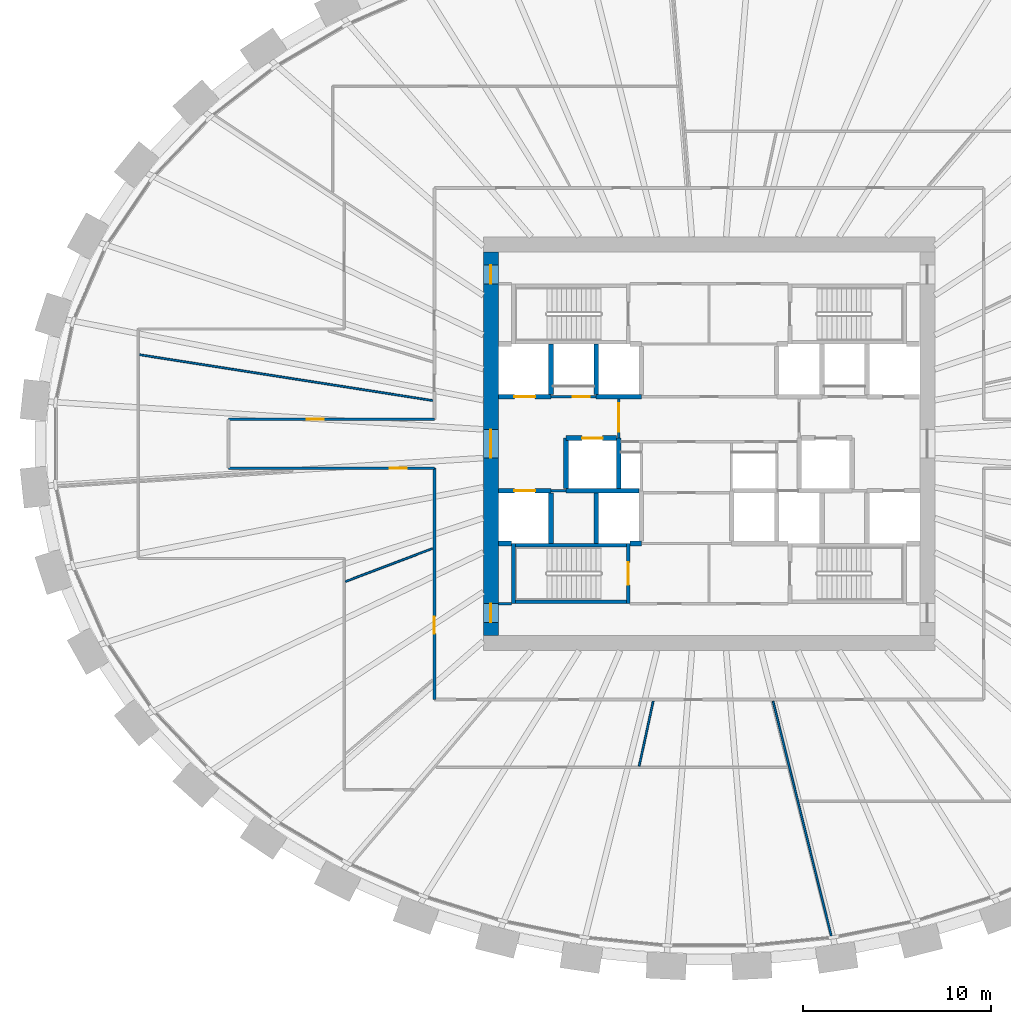
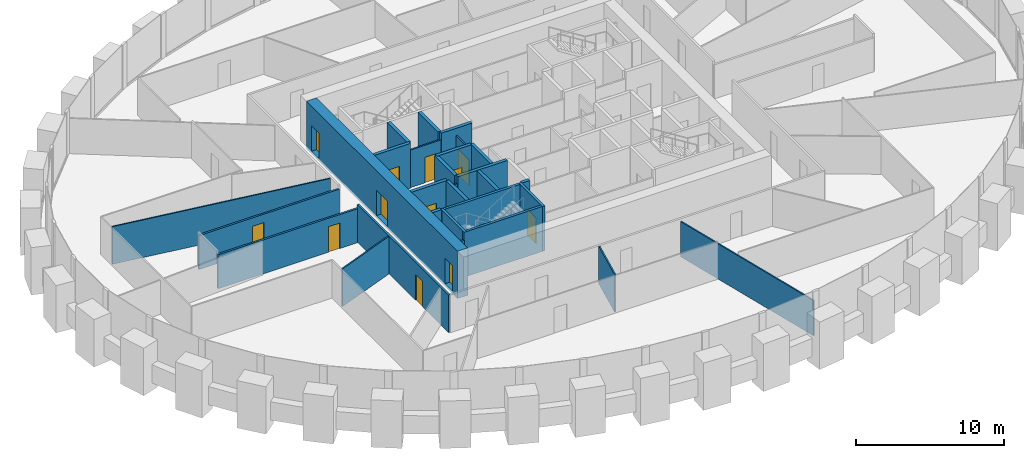
# One storey, part 6 of 11: 29 walls, 12 doors, 12 openings.
"""IFC4 building model written with IfcOpenShell, lengths in metres."""

from ifc_helpers import new_model, si_unit, direction, frame, frame_2d, origin, place, context, subcontext, project, spatial, rectangle, extrude, source, transform, mapped, material, layer, layer_set, type_object, element, fill, save


model = new_model("IFC4")

# Units and contexts
model_context = context("Model", 3, precision=1e-05, world=origin(), true_north=direction((0.0, 1.0)))
body_context = subcontext(model_context, "Body", "Model", "MODEL_VIEW")
ifc_project = project(units=[si_unit("LENGTHUNIT", "METRE"), si_unit("AREAUNIT", "SQUARE_METRE"), si_unit("VOLUMEUNIT", "CUBIC_METRE"), si_unit("PLANEANGLEUNIT", "RADIAN"), si_unit("MASSUNIT", "GRAM", prefix="KILO")], contexts=[model_context])

# Site, building, storey
site_placement = place(None, origin())
site = spatial("IfcSite", under=ifc_project, at=site_placement, CompositionType="ELEMENT")
building_placement = place(site_placement, origin())
building = spatial("IfcBuilding", under=site, at=building_placement, Name="Embergate Tower", CompositionType="ELEMENT")
storey_placement = place(building_placement, frame((0.0, 0.0, 203.39990234375)))
storey = spatial("IfcBuildingStorey", under=building, at=storey_placement, Name="L46", CompositionType="ELEMENT", Elevation=203.39990234375)

# Wall, openings, doors
ifc_material_1 = material(Name="Concrete C70", Category="concrete")
ifc_layer_1 = layer(ifc_material_1, 0.800048828125)
ifc_layer_set_1 = layer_set([ifc_layer_1], Name="Concrete C70")
wall_type_1 = type_object("IfcWallType", Name="Core outer wall C70 800", PredefinedType="SHEAR", material=ifc_layer_set_1)
shared_shape_1 = source(origin(), body_context, "Body", "SweptSolid", [
    extrude(rectangle(XDim=20.39990234375, YDim=0.800048828125, at=frame_2d((10.199951171875, 0.0))), origin(), (0.0, 0.0, 1.0), 3.900146484375),
])
wall_1_placement = place(storey_placement, frame((-11.60009765625, -10.199951171875, -0.199951171875), z_axis=(0.0, 0.0, 1.0), x_axis=(0.0, 1.0, 0.0)))
wall_1 = element("IfcWall", 1, at=wall_1_placement, inside=storey, type_object=wall_type_1, Name="CW-L46-W", PredefinedType="SHEAR", context=body_context, shape_type="MappedRepresentation", body=[
    mapped(shared_shape_1, transform((0.0, 0.0, 0.0))),
])
shared_shape_2 = source(origin(), body_context, "Body", "SweptSolid", [
    extrude(rectangle(XDim=1.0, YDim=2.10009765625, at=frame_2d((0.5, 1.050048828125))), frame((0.0, 0.409912109375, 0.0), z_axis=(0.0, -1.0, 0.0), x_axis=(1.0, 0.0, 0.0)), (0.0, 0.0, 1.0), 0.820068359375),
])
opening_1_placement = place(wall_1_placement, frame((18.699951171875, 0.0, 0.199951171875)))
opening_1 = element("IfcOpeningElement", 2, at=opening_1_placement, cuts=wall_1, Name="Opening IF-1d", PredefinedType="OPENING", context=body_context, shape_type="MappedRepresentation", body=[
    mapped(shared_shape_2, transform((0.0, 0.0, 0.0))),
])
opening_2_placement = place(wall_1_placement, frame((0.699951171875, 0.0, 0.199951171875)))
opening_2 = element("IfcOpeningElement", 3, at=opening_2_placement, cuts=wall_1, Name="Opening IF-1d", PredefinedType="OPENING", context=body_context, shape_type="MappedRepresentation", body=[
    mapped(shared_shape_2, transform((0.0, 0.0, 0.0))),
])
shared_shape_3 = source(origin(), body_context, "Body", "SweptSolid", [
    extrude(rectangle(XDim=1.5, YDim=2.10009765625, at=frame_2d((0.75, 1.050048828125))), frame((0.0, 0.409912109375, 0.0), z_axis=(0.0, -1.0, 0.0), x_axis=(1.0, 0.0, 0.0)), (0.0, 0.0, 1.0), 0.820068359375),
])
opening_3_placement = place(wall_1_placement, frame((9.449951171875, 0.0, 0.199951171875)))
opening_3 = element("IfcOpeningElement", 4, at=opening_3_placement, cuts=wall_1, Name="Opening IF-3", PredefinedType="OPENING", context=body_context, shape_type="MappedRepresentation", body=[
    mapped(shared_shape_3, transform((0.0, 0.0, 0.0))),
])
ifc_material_2 = material(Name="Lobby fire door pair 1500")
door_type_1 = type_object("IfcDoorType", Name="Lobby fire door pair 1500", OperationType="DOUBLE_DOOR_SINGLE_SWING", PredefinedType="DOOR", material=ifc_material_2)
shared_shape_4 = source(origin(), body_context, "Body", "SweptSolid", [
    extrude(rectangle(XDim=1.5, YDim=2.10009765625, at=frame_2d((0.75, 1.050048828125))), frame((0.0, 0.02490234375, 0.0), z_axis=(0.0, -1.0, 0.0), x_axis=(1.0, 0.0, 0.0)), (0.0, 0.0, 1.0), 0.050048828125),
])
door_1_placement = place(opening_3_placement, origin())
door_1 = element("IfcDoor", 5, at=door_1_placement, inside=storey, type_object=door_type_1, Name="IF-3 door", OperationType="DOUBLE_DOOR_SINGLE_SWING", OverallHeight=2.10009765625, OverallWidth=1.5, PredefinedType="DOOR", context=body_context, shape_type="MappedRepresentation", body=[
    mapped(shared_shape_4, transform((0.0, 0.0, 0.0))),
])
fill(opening_3, door_1)
ifc_material_3 = material(Name="Escape fire door 1000")
door_type_2 = type_object("IfcDoorType", Name="Escape fire door 1000", OperationType="SINGLE_SWING_LEFT", PredefinedType="DOOR", material=ifc_material_3)
shared_shape_5 = source(origin(), body_context, "Body", "SweptSolid", [
    extrude(rectangle(XDim=1.0, YDim=2.10009765625, at=frame_2d((0.5, 1.050048828125))), frame((0.0, 0.02490234375, 0.0), z_axis=(0.0, -1.0, 0.0), x_axis=(1.0, 0.0, 0.0)), (0.0, 0.0, 1.0), 0.050048828125),
])
door_2_placement = place(opening_1_placement, origin())
door_2 = element("IfcDoor", 6, at=door_2_placement, inside=storey, type_object=door_type_2, Name="IF-1 door", OperationType="SINGLE_SWING_LEFT", OverallHeight=2.10009765625, OverallWidth=1.0, PredefinedType="DOOR", context=body_context, shape_type="MappedRepresentation", body=[
    mapped(shared_shape_5, transform((0.0, 0.0, 0.0))),
])
fill(opening_1, door_2)
door_3_placement = place(opening_2_placement, origin())
door_3 = element("IfcDoor", 7, at=door_3_placement, inside=storey, type_object=door_type_2, Name="IF-1 door", OperationType="SINGLE_SWING_RIGHT", OverallHeight=2.10009765625, OverallWidth=1.0, PredefinedType="DOOR", context=body_context, shape_type="MappedRepresentation", body=[
    mapped(shared_shape_5, transform((0.0, 0.0, 0.0))),
])
fill(opening_2, door_3)

# Wall, opening, door
ifc_material_4 = material(Name="Core partition blockwork 120")
ifc_layer_2 = layer(ifc_material_4, 0.1201171875)
ifc_layer_set_2 = layer_set([ifc_layer_2], Name="Core partition blockwork 120")
wall_type_2 = type_object("IfcWallType", Name="Core partition blockwork 120", PredefinedType="PARTITIONING", material=ifc_layer_set_2)
shared_shape_6 = source(origin(), body_context, "Body", "SweptSolid", [
    extrude(rectangle(XDim=2.074951171875, YDim=0.1201171875, at=frame_2d((1.03759765625, 0.0))), origin(), (0.0, 0.0, 1.0), 3.10009765625),
])
wall_2_placement = place(storey_placement, frame((-4.800048828125, 2.375, 0.0), z_axis=(0.0, 0.0, 1.0), x_axis=(0.0, -1.0, 0.0)))
wall_2 = element("IfcWall", 8, at=wall_2_placement, inside=storey, type_object=wall_type_2, Name="IP-3 wall", PredefinedType="PARTITIONING", context=body_context, shape_type="MappedRepresentation", body=[
    mapped(shared_shape_6, transform((0.0, 0.0, 0.0))),
])
shared_shape_7 = source(origin(), body_context, "Body", "SweptSolid", [
    extrude(rectangle(XDim=1.5, YDim=2.10009765625, at=frame_2d((0.75, 1.050048828125))), frame((0.0, 0.070068359375, 0.0), z_axis=(0.0, -1.0, 0.0), x_axis=(1.0, 0.0, 0.0)), (0.0, 0.0, 1.0), 0.14013671875),
])
opening_4_placement = place(wall_2_placement, frame((0.22509765625, 0.0, 0.0)))
opening_4 = element("IfcOpeningElement", 9, at=opening_4_placement, cuts=wall_2, Name="Opening IF-3", PredefinedType="OPENING", context=body_context, shape_type="MappedRepresentation", body=[
    mapped(shared_shape_7, transform((0.0, 0.0, 0.0))),
])
door_4_placement = place(opening_4_placement, origin())
door_4 = element("IfcDoor", 10, at=door_4_placement, inside=storey, type_object=door_type_1, Name="IF-3 door", OperationType="DOUBLE_DOOR_SINGLE_SWING", OverallHeight=2.10009765625, OverallWidth=1.5, PredefinedType="DOOR", context=body_context, shape_type="MappedRepresentation", body=[
    mapped(shared_shape_4, transform((0.0, 0.0, 0.0))),
])
fill(opening_4, door_4)

# Walls
ifc_material_5 = material(Name="Concrete C50", Category="concrete")
ifc_layer_3 = layer(ifc_material_5, 0.25)
ifc_layer_set_3 = layer_set([ifc_layer_3], Name="Concrete C50")
wall_type_3 = type_object("IfcWallType", Name="Hoistway wall reinforced concrete 250", PredefinedType="SHEAR", material=ifc_layer_set_3)
shared_shape_8 = source(origin(), body_context, "Body", "SweptSolid", [
    extrude(rectangle(XDim=2.675048828125, YDim=0.25, at=frame_2d((1.33740234375, 0.0))), origin(), (0.0, 0.0, 1.0), 3.7001953125),
])
for number, where, z_axis, x_axis, name in (
    (11, (-8.39990234375, 2.625, 0.0), (0.0, 0.0, 1.0), (0.0, 1.0, 0.0), "HW-1 wall"),
    (12, (-6.0, 2.625, 0.0), (0.0, 0.0, 1.0), (0.0, 1.0, 0.0), "HW-1 wall"),
    (13, (-4.800048828125, 0.300048828125, 0.0), (0.0, 0.0, 1.0), (0.0, -1.0, 0.0), "HW-1 wall"),
):
    element("IfcWall", number, at=place(storey_placement, frame(where, z_axis=z_axis, x_axis=x_axis)), inside=storey, type_object=wall_type_3, Name=name, PredefinedType="SHEAR", context=body_context, shape_type="MappedRepresentation", body=[
        mapped(shared_shape_8, transform((0.0, 0.0, 0.0))),
    ])

# Wall, opening, door
wall_3_placement = place(storey_placement, frame((-4.925048828125, 0.300048828125, 0.0), z_axis=(0.0, 0.0, 1.0), x_axis=(-1.0, 0.0, 0.0)))
wall_3 = element("IfcWall", 14, at=wall_3_placement, inside=storey, type_object=wall_type_3, Name="HW-1 wall", PredefinedType="SHEAR", context=body_context, shape_type="MappedRepresentation", body=[
    mapped(shared_shape_8, transform((0.0, 0.0, 0.0))),
])
shared_shape_9 = source(origin(), body_context, "Body", "SweptSolid", [
    extrude(rectangle(XDim=1.10009765625, YDim=2.10009765625, at=frame_2d((0.550048828125, 1.050048828125))), frame((0.0, 0.135009765625, 0.0), z_axis=(0.0, -1.0, 0.0), x_axis=(1.0, 0.0, 0.0)), (0.0, 0.0, 1.0), 0.27001953125),
])
opening_5_placement = place(wall_3_placement, frame((0.72509765625, 0.0, 0.0)))
opening_5 = element("IfcOpeningElement", 15, at=opening_5_placement, cuts=wall_3, Name="Opening LD", PredefinedType="OPENING", context=body_context, shape_type="MappedRepresentation", body=[
    mapped(shared_shape_9, transform((0.0, 0.0, 0.0))),
])
ifc_material_6 = material(Name="Landing door sliding 1100")
door_type_3 = type_object("IfcDoorType", Name="Landing door sliding 1100", OperationType="SLIDING_TO_LEFT", PredefinedType="DOOR", material=ifc_material_6)
shared_shape_10 = source(origin(), body_context, "Body", "SweptSolid", [
    extrude(rectangle(XDim=1.10009765625, YDim=2.10009765625, at=frame_2d((0.550048828125, 1.050048828125))), frame((0.0, 0.02490234375, 0.0), z_axis=(0.0, -1.0, 0.0), x_axis=(1.0, 0.0, 0.0)), (0.0, 0.0, 1.0), 0.050048828125),
])
door_5_placement = place(opening_5_placement, origin())
door_5 = element("IfcDoor", 16, at=door_5_placement, inside=storey, type_object=door_type_3, Name="LD door", OperationType="SLIDING_TO_RIGHT", OverallHeight=2.10009765625, OverallWidth=1.10009765625, PredefinedType="DOOR", context=body_context, shape_type="MappedRepresentation", body=[
    mapped(shared_shape_10, transform((0.0, 0.0, 0.0))),
])
fill(opening_5, door_5)

# Walls
wall_4_placement = place(storey_placement, frame((-7.60009765625, 0.300048828125, 0.0), z_axis=(0.0, 0.0, 1.0), x_axis=(0.0, -1.0, 0.0)))
element("IfcWall", 17, at=wall_4_placement, inside=storey, type_object=wall_type_3, Name="HW-1 wall", PredefinedType="SHEAR", context=body_context, shape_type="MappedRepresentation", body=[
    mapped(shared_shape_8, transform((0.0, 0.0, 0.0))),
])
ifc_layer_4 = layer(ifc_material_5, 0.199951171875)
ifc_layer_set_4 = layer_set([ifc_layer_4], Name="Concrete C50")
wall_type_4 = type_object("IfcWallType", Name="Stair enclosure wall reinforced concrete 250", PredefinedType="SHEAR", material=ifc_layer_set_4)
shared_shape_11 = source(origin(), body_context, "Body", "SweptSolid", [
    extrude(rectangle(XDim=6.300048828125, YDim=0.199951171875, at=frame_2d((3.14990234375, 0.0))), origin(), (0.0, 0.0, 1.0), 3.7001953125),
])
for number, where, z_axis, x_axis, name in (
    (18, (-10.5, -5.39990234375, 0.0), (0.0, 0.0, 1.0), (1.0, 0.0, 0.0), "SE-1 wall"),
    (19, (-10.5, -8.39990234375, 0.0), (0.0, 0.0, 1.0), (1.0, 0.0, 0.0), "SE-1 wall"),
):
    element("IfcWall", number, at=place(storey_placement, frame(where, z_axis=z_axis, x_axis=x_axis)), inside=storey, type_object=wall_type_4, Name=name, PredefinedType="SHEAR", context=body_context, shape_type="MappedRepresentation", body=[
        mapped(shared_shape_11, transform((0.0, 0.0, 0.0))),
    ])

# Wall, opening, door
shared_shape_12 = source(origin(), body_context, "Body", "SweptSolid", [
    extrude(rectangle(XDim=3.199951171875, YDim=0.199951171875, at=frame_2d((1.60009765625, 0.0))), origin(), (0.0, 0.0, 1.0), 3.7001953125),
])
wall_5_placement = place(storey_placement, frame((-4.300048828125, -8.5, 0.0), z_axis=(0.0, 0.0, 1.0), x_axis=(0.0, 1.0, 0.0)))
wall_5 = element("IfcWall", 20, at=wall_5_placement, inside=storey, type_object=wall_type_4, Name="SE-1 wall", PredefinedType="SHEAR", context=body_context, shape_type="MappedRepresentation", body=[
    mapped(shared_shape_12, transform((0.0, 0.0, 0.0))),
])
shared_shape_13 = source(origin(), body_context, "Body", "SweptSolid", [
    extrude(rectangle(XDim=1.199951171875, YDim=2.10009765625, at=frame_2d((0.60009765625, 1.050048828125))), frame((0.0, 0.10986328125, 0.0), z_axis=(0.0, -1.0, 0.0), x_axis=(1.0, 0.0, 0.0)), (0.0, 0.0, 1.0), 0.219970703125),
])
opening_6_placement = place(wall_5_placement, frame((1.0, 0.0, 0.0)))
opening_6 = element("IfcOpeningElement", 21, at=opening_6_placement, cuts=wall_5, Name="Opening IF-2", PredefinedType="OPENING", context=body_context, shape_type="MappedRepresentation", body=[
    mapped(shared_shape_13, transform((0.0, 0.0, 0.0))),
])
ifc_material_7 = material(Name="Stair enclosure door 1200")
door_type_4 = type_object("IfcDoorType", Name="Stair enclosure door 1200", OperationType="SINGLE_SWING_LEFT", PredefinedType="DOOR", material=ifc_material_7)
shared_shape_14 = source(origin(), body_context, "Body", "SweptSolid", [
    extrude(rectangle(XDim=1.199951171875, YDim=2.10009765625, at=frame_2d((0.60009765625, 1.050048828125))), frame((0.0, 0.02490234375, 0.0), z_axis=(0.0, -1.0, 0.0), x_axis=(1.0, 0.0, 0.0)), (0.0, 0.0, 1.0), 0.050048828125),
])
door_6_placement = place(opening_6_placement, origin())
door_6 = element("IfcDoor", 22, at=door_6_placement, inside=storey, type_object=door_type_4, Name="IF-2 door", OperationType="SINGLE_SWING_RIGHT", OverallHeight=2.10009765625, OverallWidth=1.199951171875, PredefinedType="DOOR", context=body_context, shape_type="MappedRepresentation", body=[
    mapped(shared_shape_14, transform((0.0, 0.0, 0.0))),
])
fill(opening_6, door_6)

# Wall
shared_shape_15 = source(origin(), body_context, "Body", "SweptSolid", [
    extrude(rectangle(XDim=2.39990234375, YDim=0.25, at=frame_2d((1.199951171875, 0.0))), origin(), (0.0, 0.0, 1.0), 3.7001953125),
])
wall_6_placement = place(storey_placement, frame((-6.0, 2.5, 0.0), z_axis=(0.0, 0.0, 1.0), x_axis=(1.0, 0.0, 0.0)))
element("IfcWall", 23, at=wall_6_placement, inside=storey, type_object=wall_type_3, Name="HW-1 wall", PredefinedType="SHEAR", context=body_context, shape_type="MappedRepresentation", body=[
    mapped(shared_shape_15, transform((0.0, 0.0, 0.0))),
])

# Wall, opening, door
ifc_material_8 = material(Name="Corridor wall dry-lined 150")
ifc_layer_5 = layer(ifc_material_8, 0.14990234375)
ifc_layer_set_5 = layer_set([ifc_layer_5], Name="Corridor wall dry-lined 150")
wall_type_5 = type_object("IfcWallType", Name="Corridor wall dry-lined 150", PredefinedType="PARTITIONING", material=ifc_layer_set_5)
shared_shape_16 = source(origin(), body_context, "Body", "SweptSolid", [
    extrude(rectangle(XDim=10.949951171875, YDim=0.14990234375, at=frame_2d((5.47509765625, 0.0))), origin(), (0.0, 0.0, 1.0), 2.800048828125),
])
wall_7_placement = place(storey_placement, frame((-25.550048828125, -1.300048828125, 0.0), z_axis=(0.0, 0.0, 1.0), x_axis=(1.0, 0.0, 0.0)))
wall_7 = element("IfcWall", 24, at=wall_7_placement, inside=storey, type_object=wall_type_5, Name="IP-2 wall", PredefinedType="PARTITIONING", context=body_context, shape_type="MappedRepresentation", body=[
    mapped(shared_shape_16, transform((0.0, 0.0, 0.0))),
])
shared_shape_17 = source(origin(), body_context, "Body", "SweptSolid", [
    extrude(rectangle(XDim=0.89990234375, YDim=2.10009765625, at=frame_2d((0.449951171875, 1.050048828125))), frame((0.0, 0.0849609375, 0.0), z_axis=(0.0, -1.0, 0.0), x_axis=(1.0, 0.0, 0.0)), (0.0, 0.0, 1.0), 0.169921875),
])
opening_7_placement = place(wall_7_placement, frame((8.5869140625, 0.0, 0.0)))
opening_7 = element("IfcOpeningElement", 25, at=opening_7_placement, cuts=wall_7, Name="Opening IF-1c", PredefinedType="OPENING", context=body_context, shape_type="MappedRepresentation", body=[
    mapped(shared_shape_17, transform((0.0, 0.0, 0.0))),
])
ifc_material_9 = material(Name="Escape fire door 900")
door_type_5 = type_object("IfcDoorType", Name="Escape fire door 900", OperationType="SINGLE_SWING_LEFT", PredefinedType="DOOR", material=ifc_material_9)
shared_shape_18 = source(origin(), body_context, "Body", "SweptSolid", [
    extrude(rectangle(XDim=0.89990234375, YDim=2.10009765625, at=frame_2d((0.449951171875, 1.050048828125))), frame((0.0, 0.02490234375, 0.0), z_axis=(0.0, -1.0, 0.0), x_axis=(1.0, 0.0, 0.0)), (0.0, 0.0, 1.0), 0.050048828125),
])
door_7_placement = place(opening_7_placement, origin())
door_7 = element("IfcDoor", 26, at=door_7_placement, inside=storey, type_object=door_type_5, Name="IF-1 door", OperationType="SINGLE_SWING_RIGHT", OverallHeight=2.10009765625, OverallWidth=0.89990234375, PredefinedType="DOOR", context=body_context, shape_type="MappedRepresentation", body=[
    mapped(shared_shape_18, transform((0.0, 0.0, 0.0))),
])
fill(opening_7, door_7)

wall_8_placement = place(storey_placement, frame((-14.60009765625, 1.300048828125, 0.0), z_axis=(0.0, 0.0, 1.0), x_axis=(-1.0, 0.0, 0.0)))
wall_8 = element("IfcWall", 27, at=wall_8_placement, inside=storey, type_object=wall_type_5, Name="IP-2 wall", PredefinedType="PARTITIONING", context=body_context, shape_type="MappedRepresentation", body=[
    mapped(shared_shape_16, transform((0.0, 0.0, 0.0))),
])
opening_8_placement = place(wall_8_placement, frame((5.875, 0.0, 0.0)))
opening_8 = element("IfcOpeningElement", 28, at=opening_8_placement, cuts=wall_8, Name="Opening IF-1c", PredefinedType="OPENING", context=body_context, shape_type="MappedRepresentation", body=[
    mapped(shared_shape_17, transform((0.0, 0.0, 0.0))),
])
door_8_placement = place(opening_8_placement, origin())
door_8 = element("IfcDoor", 29, at=door_8_placement, inside=storey, type_object=door_type_5, Name="IF-1 door", OperationType="SINGLE_SWING_RIGHT", OverallHeight=2.10009765625, OverallWidth=0.89990234375, PredefinedType="DOOR", context=body_context, shape_type="MappedRepresentation", body=[
    mapped(shared_shape_18, transform((0.0, 0.0, 0.0))),
])
fill(opening_8, door_8)

shared_shape_19 = source(origin(), body_context, "Body", "SweptSolid", [
    extrude(rectangle(XDim=2.39990234375, YDim=0.1201171875, at=frame_2d((1.199951171875, 0.0))), origin(), (0.0, 0.0, 1.0), 3.10009765625),
])
wall_9_placement = place(storey_placement, frame((-8.39990234375, 2.5, 0.0), z_axis=(0.0, 0.0, 1.0), x_axis=(1.0, 0.0, 0.0)))
wall_9 = element("IfcWall", 30, at=wall_9_placement, inside=storey, type_object=wall_type_2, Name="IP-3 wall", PredefinedType="PARTITIONING", context=body_context, shape_type="MappedRepresentation", body=[
    mapped(shared_shape_19, transform((0.0, 0.0, 0.0))),
])
shared_shape_20 = source(origin(), body_context, "Body", "SweptSolid", [
    extrude(rectangle(XDim=0.89990234375, YDim=2.10009765625, at=frame_2d((0.449951171875, 1.050048828125))), frame((0.0, 0.070068359375, 0.0), z_axis=(0.0, -1.0, 0.0), x_axis=(1.0, 0.0, 0.0)), (0.0, 0.0, 1.0), 0.14013671875),
])
opening_9_placement = place(wall_9_placement, frame((1.14990234375, 0.0, 0.0)))
opening_9 = element("IfcOpeningElement", 31, at=opening_9_placement, cuts=wall_9, Name="Opening ID-1", PredefinedType="OPENING", context=body_context, shape_type="MappedRepresentation", body=[
    mapped(shared_shape_20, transform((0.0, 0.0, 0.0))),
])
ifc_material_10 = material(Name="Interior door 900")
door_type_6 = type_object("IfcDoorType", Name="Interior door 900", OperationType="SINGLE_SWING_LEFT", PredefinedType="DOOR", material=ifc_material_10)
door_9_placement = place(opening_9_placement, origin())
door_9 = element("IfcDoor", 32, at=door_9_placement, inside=storey, type_object=door_type_6, Name="ID-1 door", OperationType="SINGLE_SWING_LEFT", OverallHeight=2.10009765625, OverallWidth=0.89990234375, PredefinedType="DOOR", context=body_context, shape_type="MappedRepresentation", body=[
    mapped(shared_shape_18, transform((0.0, 0.0, 0.0))),
])
fill(opening_9, door_9)

# Walls
shared_shape_21 = source(origin(), body_context, "Body", "SweptSolid", [
    extrude(rectangle(XDim=0.7958984375, YDim=0.1201171875, at=frame_2d((0.39794921875, 0.0))), origin(), (0.0, 0.0, 1.0), 3.10009765625),
])
wall_10_placement = place(storey_placement, frame((-8.39794921875, -2.5, 0.0), z_axis=(0.0, 0.0, 1.0), x_axis=(1.0, 0.0, 0.0)))
element("IfcWall", 33, at=wall_10_placement, inside=storey, type_object=wall_type_2, Name="IP-3 wall", PredefinedType="PARTITIONING", context=body_context, shape_type="MappedRepresentation", body=[
    mapped(shared_shape_21, transform((0.0, 0.0, 0.0))),
])
shared_shape_22 = source(origin(), body_context, "Body", "SweptSolid", [
    extrude(rectangle(XDim=0.697998046875, YDim=0.1201171875, at=frame_2d((0.34912109375, 0.0))), origin(), (0.0, 0.0, 1.0), 3.10009765625),
])
wall_11_placement = place(storey_placement, frame((-10.501953125, -8.5, 0.0), z_axis=(0.0, 0.0, 1.0), x_axis=(-1.0, 0.0, 0.0)))
element("IfcWall", 34, at=wall_11_placement, inside=storey, type_object=wall_type_2, Name="IP-3 wall", PredefinedType="PARTITIONING", context=body_context, shape_type="MappedRepresentation", body=[
    mapped(shared_shape_22, transform((0.0, 0.0, 0.0))),
])

# Wall, opening, door
shared_shape_23 = source(origin(), body_context, "Body", "SweptSolid", [
    extrude(rectangle(XDim=2.800048828125, YDim=0.25, at=frame_2d((1.39990234375, 0.0))), origin(), (0.0, 0.0, 1.0), 3.7001953125),
])
wall_12_placement = place(storey_placement, frame((-11.199951171875, 2.5, 0.0), z_axis=(0.0, 0.0, 1.0), x_axis=(1.0, 0.0, 0.0)))
wall_12 = element("IfcWall", 35, at=wall_12_placement, inside=storey, type_object=wall_type_3, Name="HW-1 wall", PredefinedType="SHEAR", context=body_context, shape_type="MappedRepresentation", body=[
    mapped(shared_shape_23, transform((0.0, 0.0, 0.0))),
])
opening_10_placement = place(wall_12_placement, frame((0.85009765625, 0.0, 0.0)))
opening_10 = element("IfcOpeningElement", 36, at=opening_10_placement, cuts=wall_12, Name="Opening LD", PredefinedType="OPENING", context=body_context, shape_type="MappedRepresentation", body=[
    mapped(shared_shape_9, transform((0.0, 0.0, 0.0))),
])
door_10_placement = place(opening_10_placement, origin())
door_10 = element("IfcDoor", 37, at=door_10_placement, inside=storey, type_object=door_type_3, Name="LD door", OperationType="SLIDING_TO_RIGHT", OverallHeight=2.10009765625, OverallWidth=1.10009765625, PredefinedType="DOOR", context=body_context, shape_type="MappedRepresentation", body=[
    mapped(shared_shape_10, transform((0.0, 0.0, 0.0))),
])
fill(opening_10, door_10)

wall_13_placement = place(storey_placement, frame((-8.39990234375, -2.5, 0.0), z_axis=(0.0, 0.0, 1.0), x_axis=(-1.0, 0.0, 0.0)))
wall_13 = element("IfcWall", 38, at=wall_13_placement, inside=storey, type_object=wall_type_3, Name="HW-1 wall", PredefinedType="SHEAR", context=body_context, shape_type="MappedRepresentation", body=[
    mapped(shared_shape_23, transform((0.0, 0.0, 0.0))),
])
opening_11_placement = place(wall_13_placement, frame((0.85009765625, 0.0, 0.0)))
opening_11 = element("IfcOpeningElement", 39, at=opening_11_placement, cuts=wall_13, Name="Opening LD", PredefinedType="OPENING", context=body_context, shape_type="MappedRepresentation", body=[
    mapped(shared_shape_9, transform((0.0, 0.0, 0.0))),
])
door_11_placement = place(opening_11_placement, origin())
door_11 = element("IfcDoor", 40, at=door_11_placement, inside=storey, type_object=door_type_3, Name="LD door", OperationType="SLIDING_TO_LEFT", OverallHeight=2.10009765625, OverallWidth=1.10009765625, PredefinedType="DOOR", context=body_context, shape_type="MappedRepresentation", body=[
    mapped(shared_shape_10, transform((0.0, 0.0, 0.0))),
])
fill(opening_11, door_11)

# Walls
shared_shape_24 = source(origin(), body_context, "Body", "SweptSolid", [
    extrude(rectangle(XDim=0.599853515625, YDim=0.25, at=frame_2d((0.2998046875, 0.0))), origin(), (0.0, 0.0, 1.0), 3.7001953125),
])
wall_14_placement = place(storey_placement, frame((-4.199951171875, -5.300048828125, 0.0), z_axis=(0.0, 0.0, 1.0), x_axis=(1.0, 0.0, 0.0)))
element("IfcWall", 41, at=wall_14_placement, inside=storey, type_object=wall_type_3, Name="HW-1 wall", PredefinedType="SHEAR", context=body_context, shape_type="MappedRepresentation", body=[
    mapped(shared_shape_24, transform((0.0, 0.0, 0.0))),
])
shared_shape_25 = source(origin(), body_context, "Body", "SweptSolid", [
    extrude(rectangle(XDim=3.872802734375, YDim=0.25, at=frame_2d((1.9365234375, 0.0))), origin(), (0.0, 0.0, 1.0), 3.7001953125),
])
wall_15_placement = place(storey_placement, frame((-3.72509765625, -2.5, 0.0), z_axis=(0.0, 0.0, 1.0), x_axis=(-1.0, 0.0, 0.0)))
element("IfcWall", 42, at=wall_15_placement, inside=storey, type_object=wall_type_3, Name="HW-1 wall", PredefinedType="SHEAR", context=body_context, shape_type="MappedRepresentation", body=[
    mapped(shared_shape_25, transform((0.0, 0.0, 0.0))),
])
shared_shape_26 = source(origin(), body_context, "Body", "SweptSolid", [
    extrude(rectangle(XDim=3.196044921875, YDim=0.199951171875, at=frame_2d((1.59814453125, 0.0))), origin(), (0.0, 0.0, 1.0), 3.7001953125),
])
wall_16_placement = place(storey_placement, frame((-10.39990234375, -5.302001953125, 0.0), z_axis=(0.0, 0.0, 1.0), x_axis=(0.0, -1.0, 0.0)))
element("IfcWall", 43, at=wall_16_placement, inside=storey, type_object=wall_type_4, Name="SE-1 wall", PredefinedType="SHEAR", context=body_context, shape_type="MappedRepresentation", body=[
    mapped(shared_shape_26, transform((0.0, 0.0, 0.0))),
])
shared_shape_27 = source(origin(), body_context, "Body", "SweptSolid", [
    extrude(rectangle(XDim=0.697998046875, YDim=0.25, at=frame_2d((0.34912109375, 0.0))), origin(), (0.0, 0.0, 1.0), 3.7001953125),
])
wall_17_placement = place(storey_placement, frame((-11.199951171875, -5.300048828125, 0.0), z_axis=(0.0, 0.0, 1.0), x_axis=(1.0, 0.0, 0.0)))
element("IfcWall", 44, at=wall_17_placement, inside=storey, type_object=wall_type_3, Name="HW-1 wall", PredefinedType="SHEAR", context=body_context, shape_type="MappedRepresentation", body=[
    mapped(shared_shape_27, transform((0.0, 0.0, 0.0))),
])
shared_shape_28 = source(origin(), body_context, "Body", "SweptSolid", [
    extrude(rectangle(XDim=2.671142578125, YDim=0.25, at=frame_2d((1.33544921875, 0.0))), origin(), (0.0, 0.0, 1.0), 3.7001953125),
])
for number, where, z_axis, x_axis, name in (
    (45, (-8.39990234375, -5.298095703125, 0.0), (0.0, 0.0, 1.0), (0.0, 1.0, 0.0), "HW-1 wall"),
    (46, (-6.0, -2.626953125, 0.0), (0.0, 0.0, 1.0), (0.0, -1.0, 0.0), "HW-1 wall"),
):
    element("IfcWall", number, at=place(storey_placement, frame(where, z_axis=z_axis, x_axis=x_axis)), inside=storey, type_object=wall_type_3, Name=name, PredefinedType="SHEAR", context=body_context, shape_type="MappedRepresentation", body=[
        mapped(shared_shape_28, transform((0.0, 0.0, 0.0))),
    ])

# Wall, opening, door
shared_shape_29 = source(origin(), body_context, "Body", "SweptSolid", [
    extrude(rectangle(XDim=12.300048828125, YDim=0.14990234375, at=frame_2d((6.14990234375, 0.0))), origin(), (0.0, 0.0, 1.0), 3.10009765625),
])
wall_18_placement = place(storey_placement, frame((-14.60009765625, -1.300048828125, 0.0), z_axis=(0.0, 0.0, 1.0), x_axis=(0.0, -1.0, 0.0)))
wall_18 = element("IfcWall", 47, at=wall_18_placement, inside=storey, type_object=wall_type_5, Name="IP-2 wall", PredefinedType="PARTITIONING", context=body_context, shape_type="MappedRepresentation", body=[
    mapped(shared_shape_29, transform((0.0, 0.0, 0.0))),
])
opening_12_placement = place(wall_18_placement, frame((7.89404296875, 0.0, 0.0)))
opening_12 = element("IfcOpeningElement", 48, at=opening_12_placement, cuts=wall_18, Name="Opening IF-1c", PredefinedType="OPENING", context=body_context, shape_type="MappedRepresentation", body=[
    mapped(shared_shape_17, transform((0.0, 0.0, 0.0))),
])
door_12_placement = place(opening_12_placement, origin())
door_12 = element("IfcDoor", 49, at=door_12_placement, inside=storey, type_object=door_type_5, Name="IF-1 door", OperationType="SINGLE_SWING_RIGHT", OverallHeight=2.10009765625, OverallWidth=0.89990234375, PredefinedType="DOOR", context=body_context, shape_type="MappedRepresentation", body=[
    mapped(shared_shape_18, transform((0.0, 0.0, 0.0))),
])
fill(opening_12, door_12)

# Walls
ifc_material_11 = material(Name="Partition dry-lined 100")
ifc_layer_6 = layer(ifc_material_11, 0.10009765625)
ifc_layer_set_6 = layer_set([ifc_layer_6], Name="Partition dry-lined 100")
wall_type_6 = type_object("IfcWallType", Name="Partition dry-lined 100", PredefinedType="PARTITIONING", material=ifc_layer_set_6)
shared_shape_30 = source(origin(), body_context, "Body", "SweptSolid", [
    extrude(rectangle(XDim=4.961181640625, YDim=0.10009765625, at=frame_2d((2.48046875, 0.0))), origin(), (0.0, 0.0, 1.0), 3.10009765625),
])
wall_19_placement = place(storey_placement, frame((-14.693115234375, -5.569091796875, 0.0), z_axis=(0.0, 0.0, 1.0), x_axis=(-0.935050972138, -0.354513299473, 0.0)))
element("IfcWall", 50, at=wall_19_placement, inside=storey, type_object=wall_type_6, Name="IP-1 wall", PredefinedType="PARTITIONING", context=body_context, shape_type="MappedRepresentation", body=[
    mapped(shared_shape_30, transform((0.0, 0.0, 0.0))),
])
shared_shape_31 = source(origin(), body_context, "Body", "SweptSolid", [
    extrude(rectangle(XDim=3.532958984375, YDim=0.10009765625, at=frame_2d((1.7666015625, 0.0))), origin(), (0.0, 0.0, 1.0), 3.10009765625),
])
wall_20_placement = place(storey_placement, frame((-2.967041015625, -13.68603515625, 0.0), z_axis=(0.0, 0.0, 1.0), x_axis=(-0.211732445462, -0.977327668461, 0.0)))
element("IfcWall", 51, at=wall_20_placement, inside=storey, type_object=wall_type_6, Name="IP-1 wall", PredefinedType="PARTITIONING", context=body_context, shape_type="MappedRepresentation", body=[
    mapped(shared_shape_31, transform((0.0, 0.0, 0.0))),
])
shared_shape_32 = source(origin(), body_context, "Body", "SweptSolid", [
    extrude(rectangle(XDim=15.798583984375, YDim=0.10009765625, at=frame_2d((7.8994140625, 0.0))), origin(), (0.0, 0.0, 1.0), 3.10009765625),
])
wall_21_placement = place(storey_placement, frame((-14.68310546875, 2.294921875, 0.0), z_axis=(0.0, 0.0, 1.0), x_axis=(-0.987999508657, 0.154457019567, 0.0)))
element("IfcWall", 52, at=wall_21_placement, inside=storey, type_object=wall_type_6, Name="IP-1 wall", PredefinedType="PARTITIONING", context=body_context, shape_type="MappedRepresentation", body=[
    mapped(shared_shape_32, transform((0.0, 0.0, 0.0))),
])
shared_shape_33 = source(origin(), body_context, "Body", "SweptSolid", [
    extrude(rectangle(XDim=12.931640625, YDim=0.10009765625, at=frame_2d((6.4658203125, 0.0))), origin(), (0.0, 0.0, 1.0), 2.900146484375),
])
wall_22_placement = place(storey_placement, frame((3.39990234375, -13.68701171875, 0.0), z_axis=(0.0, 0.0, 1.0), x_axis=(0.241127191359, -0.970493522692, 0.0)))
element("IfcWall", 53, at=wall_22_placement, inside=storey, type_object=wall_type_6, Name="IP-1 wall", PredefinedType="PARTITIONING", context=body_context, shape_type="MappedRepresentation", body=[
    mapped(shared_shape_33, transform((0.0, 0.0, 0.0))),
])

save(model, "model.ifc")
